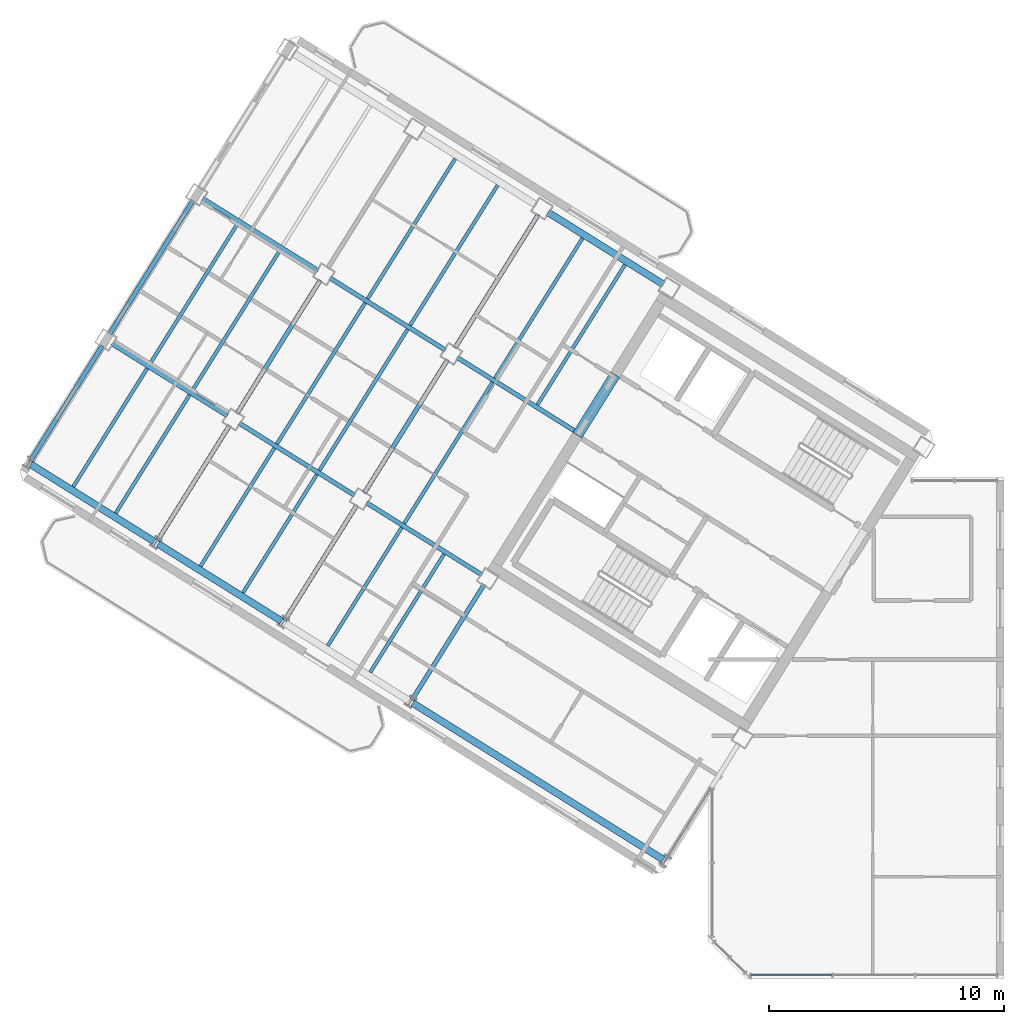
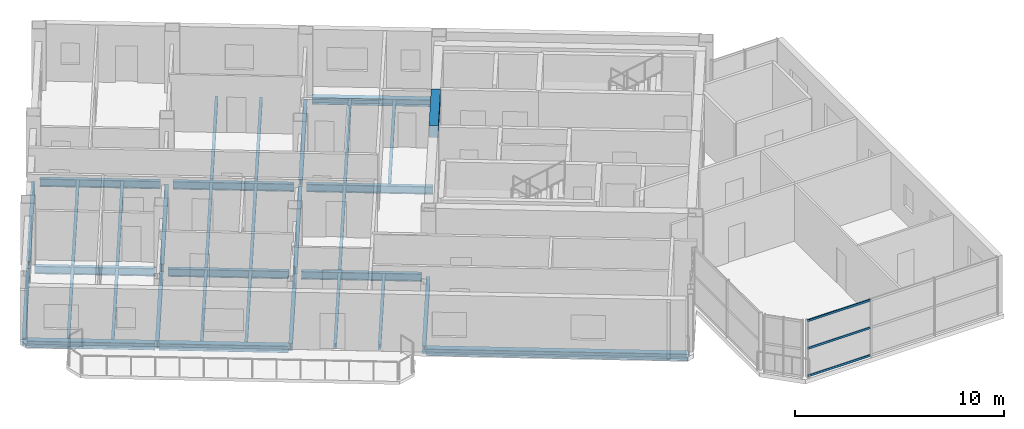
# One storey, part 4 of 14: 34 beams, 3 members, 1 element without a shape of its own.
"""IFC4 building model written with IfcOpenShell, lengths in metres."""

from ifc_helpers import new_model, si_unit, direction, frame, origin, origin_2d, place, context, subcontext, project, spatial, rectangle, hollow_rectangle, i_section, extrude, source, transform, mapped, material, material_profile, profile_set, type_object, element, aggregate, save


model = new_model("IFC4")

# Units and contexts
model_context = context("Model", 3, precision=1e-05, world=origin(), true_north=direction((0.0, 1.0)))
body_context = subcontext(model_context, "Body", "Model", "MODEL_VIEW")
ifc_project = project(units=[si_unit("LENGTHUNIT", "METRE"), si_unit("AREAUNIT", "SQUARE_METRE"), si_unit("VOLUMEUNIT", "CUBIC_METRE"), si_unit("PLANEANGLEUNIT", "RADIAN"), si_unit("MASSUNIT", "GRAM", prefix="KILO")], contexts=[model_context])

# Site, building, storey
site_placement = place(None, origin())
site = spatial("IfcSite", under=ifc_project, at=site_placement, CompositionType="ELEMENT")
building_placement = place(site_placement, origin())
building = spatial("IfcBuilding", under=site, at=building_placement, Name="Tlacorven Tower", CompositionType="ELEMENT")
storey_placement = place(building_placement, frame((0.0, 0.0, 273.60009765625)))
storey = spatial("IfcBuildingStorey", under=building, at=storey_placement, Name="L69", CompositionType="ELEMENT", Elevation=273.60009765625)

# Beams
ifc_material_1 = material(Name="Concrete C60/75", Category="concrete")
ifc_material_profile_1 = material_profile(ifc_material_1, rectangle(XDim=0.449951171875, YDim=0.699951171875, at=origin_2d()), Name="RC 450X700")
ifc_profile_set_1 = profile_set([ifc_material_profile_1], Name="Concrete C60/75")
beam_type_1 = type_object("IfcBeamType", Name="BM-LNT-700", PredefinedType="LINTEL", material=ifc_profile_set_1)
shared_shape_1 = source(origin(), body_context, "Body", "SweptSolid", [
    extrude(rectangle(XDim=0.449951171875, YDim=0.699951171875, at=origin_2d()), origin(), (0.0, 0.0, 1.0), 3.0498046875),
])
beam_1_placement = place(storey_placement, frame((27.622802734375, 27.562255859375, 3.0), z_axis=(-0.529926983584, -0.848043272522, 0.0), x_axis=(0.848043272522, -0.529926983584, 0.0)))
element("IfcBeam", 1, at=beam_1_placement, inside=storey, type_object=beam_type_1, Name="L69 W core coupling lintel beam E2", PredefinedType="LINTEL", context=body_context, shape_type="MappedRepresentation", body=[
    mapped(shared_shape_1, transform((0.0, 0.0, 0.0), scale=1.0)),
])
ifc_material_2 = material(Name="Steel S355J2", Category="steel")
ifc_material_profile_2 = material_profile(ifc_material_2, i_section(OverallWidth=0.300048828125, OverallDepth=0.389892578125, WebThickness=0.010986328125, FlangeThickness=0.01904296875, at=origin_2d()), Name="HEA 400")
ifc_profile_set_2 = profile_set([ifc_material_profile_2], Name="Steel S355J2")
beam_type_2 = type_object("IfcBeamType", Name="BM-SPN-400", PredefinedType="SPANDREL", material=ifc_profile_set_2)
shared_shape_2 = source(origin(), body_context, "Body", "SweptSolid", [
    extrude(i_section(OverallWidth=0.300048828125, OverallDepth=0.389892578125, WebThickness=0.010986328125, FlangeThickness=0.01904296875, at=origin_2d()), origin(), (0.0, 0.0, 1.0), 12.599853515625),
])
beam_2_placement = place(storey_placement, frame((29.67578125, 6.882080078125, -0.445068359375), z_axis=(-0.848045108756, 0.529924045043, 0.0), x_axis=(-0.529924045043, -0.848045108756, 0.0)))
element("IfcBeam", 2, at=beam_2_placement, inside=storey, type_object=beam_type_2, Name="L69 beam BM-L69-WL4-1", PredefinedType="SPANDREL", context=body_context, shape_type="MappedRepresentation", body=[
    mapped(shared_shape_2, transform((0.0, 0.0, 0.0), scale=1.0)),
])
shared_shape_3 = source(origin(), body_context, "Body", "SweptSolid", [
    extrude(i_section(OverallWidth=0.300048828125, OverallDepth=0.389892578125, WebThickness=0.010986328125, FlangeThickness=0.01904296875, at=origin_2d()), origin(), (0.0, 0.0, 1.0), 6.199951171875),
])
for number, where, z_axis, x_axis, name in (
    (3, (13.393310546875, 17.056396484375, -0.445068359375), (-0.848033697614, 0.529942306022, 0.0), (-0.529942306022, -0.848033697614, 0.0), "L69 beam BM-L69-WL4-4"),
    (4, (7.9658203125, 20.447998046875, -0.445068359375), (-0.848051394107, 0.529913986372, 0.0), (-0.529913986372, -0.848051394107, 0.0), "L69 beam BM-L69-WL4-5"),
):
    element("IfcBeam", number, at=place(storey_placement, frame(where, z_axis=z_axis, x_axis=x_axis)), inside=storey, type_object=beam_type_2, Name=name, PredefinedType="SPANDREL", context=body_context, shape_type="MappedRepresentation", body=[
        mapped(shared_shape_3, transform((0.0, 0.0, 0.0), scale=1.0)),
    ])
shared_shape_4 = source(origin(), body_context, "Body", "SweptSolid", [
    extrude(i_section(OverallWidth=0.300048828125, OverallDepth=0.389892578125, WebThickness=0.010986328125, FlangeThickness=0.01904296875, at=origin_2d()), origin(), (0.0, 0.0, 1.0), 5.800048828125),
])
beam_3_placement = place(storey_placement, frame((29.673583984375, 31.410400390625, -0.445068359375), z_axis=(-0.848052689693, 0.529911912967, 0.0), x_axis=(-0.529911912967, -0.848052689693, 0.0)))
element("IfcBeam", 5, at=beam_3_placement, inside=storey, type_object=beam_type_2, Name="L69 beam BM-L69-WL1-3", PredefinedType="SPANDREL", context=body_context, shape_type="MappedRepresentation", body=[
    mapped(shared_shape_4, transform((0.0, 0.0, 0.0), scale=1.0)),
])
ifc_material_profile_3 = material_profile(ifc_material_2, i_section(OverallWidth=0.14990234375, OverallDepth=0.300048828125, WebThickness=0.007080078125, FlangeThickness=0.0107421875, at=origin_2d()), Name="IPE 300")
ifc_profile_set_3 = profile_set([ifc_material_profile_3], Name="Steel S355J2")
beam_type_3 = type_object("IfcBeamType", Name="BM-JST-300", PredefinedType="JOIST", material=ifc_profile_set_3)
shared_shape_5 = source(origin(), body_context, "Body", "SweptSolid", [
    extrude(i_section(OverallWidth=0.14990234375, OverallDepth=0.300048828125, WebThickness=0.007080078125, FlangeThickness=0.0107421875, at=origin_2d()), origin(), (0.0, 0.0, 1.0), 7.10009765625),
])
for number, where, z_axis, x_axis, name in (
    (6, (22.38818359375, 27.23681640625, -0.400146484375), (-0.529915484902, -0.848050457733, 0.0), (0.848050457733, -0.529915484902, 0.0), "L69 beam BM-L69-WJ3-2-2"),
    (7, (11.533203125, 34.019775390625, -0.400146484375), (-0.529915484902, -0.848050457733, 0.0), (0.848050457733, -0.529915484902, 0.0), "L69 beam BM-L69-WJ5-2-2"),
):
    element("IfcBeam", number, at=place(storey_placement, frame(where, z_axis=z_axis, x_axis=x_axis)), inside=storey, type_object=beam_type_3, Name=name, PredefinedType="JOIST", context=body_context, shape_type="MappedRepresentation", body=[
        mapped(shared_shape_5, transform((0.0, 0.0, 0.0), scale=1.0)),
    ])
shared_shape_6 = source(origin(), body_context, "Body", "SweptSolid", [
    extrude(i_section(OverallWidth=0.14990234375, OverallDepth=0.300048828125, WebThickness=0.007080078125, FlangeThickness=0.0107421875, at=origin_2d()), origin(), (0.0, 0.0, 1.0), 7.099853515625),
])
for number, where, z_axis, x_axis, name in (
    (8, (18.769775390625, 29.497802734375, -0.400146484375), (-0.529890754507, -0.848065910344, 0.0), (0.848065910344, -0.529890754507, 0.0), "L69 beam BM-L69-WJ4-2-1"),
    (9, (16.960693359375, 30.628173828125, -0.400146484375), (-0.529930937954, -0.848040801494, 0.0), (0.848040801494, -0.529930937954, 0.0), "L69 beam BM-L69-WJ4-2-2"),
    (10, (13.34228515625, 32.88916015625, -0.400146484375), (-0.529930937954, -0.848040801494, 0.0), (0.848040801494, -0.529930937954, 0.0), "L69 beam BM-L69-WJ5-2-1"),
):
    element("IfcBeam", number, at=place(storey_placement, frame(where, z_axis=z_axis, x_axis=x_axis)), inside=storey, type_object=beam_type_3, Name=name, PredefinedType="JOIST", context=body_context, shape_type="MappedRepresentation", body=[
        mapped(shared_shape_6, transform((0.0, 0.0, 0.0), scale=1.0)),
    ])
shared_shape_7 = source(origin(), body_context, "Body", "SweptSolid", [
    extrude(i_section(OverallWidth=0.14990234375, OverallDepth=0.300048828125, WebThickness=0.007080078125, FlangeThickness=0.0107421875, at=origin_2d()), origin(), (0.0, 0.0, 1.0), 7.044921875),
])
for number, where, z_axis, x_axis, name in (
    (11, (28.03662109375, 32.25048828125, -0.400146484375), (-0.529899256491, -0.848060598053, 0.0), (0.848060598053, -0.529899256491, 0.0), "L69 beam BM-L69-WJ3-1-1"),
    (12, (26.2275390625, 33.380859375, -0.400146484375), (-0.529939753148, -0.848035292917, 0.0), (0.848035292917, -0.529939753148, 0.0), "L69 beam BM-L69-WJ3-1-2"),
    (13, (22.609130859375, 35.641845703125, -0.400146484375), (-0.52991483005, -0.848050866925, 0.0), (0.848050866925, -0.52991483005, 0.0), "L69 beam BM-L69-WJ4-1-1"),
):
    element("IfcBeam", number, at=place(storey_placement, frame(where, z_axis=z_axis, x_axis=x_axis)), inside=storey, type_object=beam_type_3, Name=name, PredefinedType="JOIST", context=body_context, shape_type="MappedRepresentation", body=[
        mapped(shared_shape_7, transform((0.0, 0.0, 0.0), scale=1.0)),
    ])
shared_shape_8 = source(origin(), body_context, "Body", "SweptSolid", [
    extrude(i_section(OverallWidth=0.14990234375, OverallDepth=0.300048828125, WebThickness=0.007080078125, FlangeThickness=0.0107421875, at=origin_2d()), origin(), (0.0, 0.0, 1.0), 5.945068359375),
])
for number, where, z_axis, x_axis, name in (
    (14, (20.3291015625, 19.91552734375, -0.400146484375), (-0.529914037113, -0.848051362401, 0.0), (0.848051362401, -0.529914037113, 0.0), "L69 beam BM-L69-WJ3-3-1"),
    (15, (18.519775390625, 21.046142578125, -0.400146484375), (-0.529914037113, -0.848051362401, 0.0), (0.848051362401, -0.529914037113, 0.0), "L69 beam BM-L69-WJ3-3-2"),
    (16, (14.9013671875, 23.30712890625, -0.400146484375), (-0.529884501938, -0.848069817059, 0.0), (0.848069817059, -0.529884501938, 0.0), "L69 beam BM-L69-WJ4-3-1"),
    (17, (9.473876953125, 26.698486328125, -0.400146484375), (-0.529914037113, -0.848051362401, 0.0), (0.848051362401, -0.529914037113, 0.0), "L69 beam BM-L69-WJ5-3-1"),
    (18, (7.664794921875, 27.8291015625, -0.400146484375), (-0.529914037113, -0.848051362401, 0.0), (0.848051362401, -0.529914037113, 0.0), "L69 beam BM-L69-WJ5-3-2"),
):
    element("IfcBeam", number, at=place(storey_placement, frame(where, z_axis=z_axis, x_axis=x_axis)), inside=storey, type_object=beam_type_3, Name=name, PredefinedType="JOIST", context=body_context, shape_type="MappedRepresentation", body=[
        mapped(shared_shape_8, transform((0.0, 0.0, 0.0), scale=1.0)),
    ])
shared_shape_9 = source(origin(), body_context, "Body", "SweptSolid", [
    extrude(i_section(OverallWidth=0.14990234375, OverallDepth=0.300048828125, WebThickness=0.007080078125, FlangeThickness=0.0107421875, at=origin_2d()), origin(), (0.0, 0.0, 1.0), 7.045166015625),
])
beam_4_placement = place(storey_placement, frame((20.800048828125, 36.7724609375, -0.400146484375), z_axis=(-0.529924179428, -0.848045024782, 0.0), x_axis=(0.848045024782, -0.529924179428, 0.0)))
element("IfcBeam", 19, at=beam_4_placement, inside=storey, type_object=beam_type_3, Name="L69 beam BM-L69-WJ4-1-2", PredefinedType="JOIST", context=body_context, shape_type="MappedRepresentation", body=[
    mapped(shared_shape_9, transform((0.0, 0.0, 0.0), scale=1.0)),
])
shared_shape_10 = source(origin(), body_context, "Body", "SweptSolid", [
    extrude(i_section(OverallWidth=0.14990234375, OverallDepth=0.300048828125, WebThickness=0.007080078125, FlangeThickness=0.0107421875, at=origin_2d()), origin(), (0.0, 0.0, 1.0), 5.94482421875),
])
beam_5_placement = place(storey_placement, frame((13.09228515625, 24.4375, -0.400146484375), z_axis=(-0.529932492401, -0.848039830136, 0.0), x_axis=(0.848039830136, -0.529932492401, 0.0)))
element("IfcBeam", 20, at=beam_5_placement, inside=storey, type_object=beam_type_3, Name="L69 beam BM-L69-WJ4-3-2", PredefinedType="JOIST", context=body_context, shape_type="MappedRepresentation", body=[
    mapped(shared_shape_10, transform((0.0, 0.0, 0.0), scale=1.0)),
])
ifc_material_profile_4 = material_profile(ifc_material_2, i_section(OverallWidth=0.18994140625, OverallDepth=0.449951171875, WebThickness=0.009521484375, FlangeThickness=0.0146484375, at=origin_2d()), Name="IPE 450")
ifc_profile_set_4 = profile_set([ifc_material_profile_4], Name="Steel S355J2")
beam_type_4 = type_object("IfcBeamType", Name="BM-TWR-450", PredefinedType="BEAM", material=ifc_profile_set_4)
shared_shape_11 = source(origin(), body_context, "Body", "SweptSolid", [
    extrude(i_section(OverallWidth=0.18994140625, OverallDepth=0.449951171875, WebThickness=0.009521484375, FlangeThickness=0.0146484375, at=origin_2d()), origin(), (0.0, 0.0, 1.0), 6.06005859375),
])
beam_6_placement = place(storey_placement, frame((26.025634765625, 25.081787109375, -0.47509765625), z_axis=(-0.848039041052, 0.529933755154, 0.0), x_axis=(-0.529933755154, -0.848039041052, 0.0)))
element("IfcBeam", 21, at=beam_6_placement, inside=storey, type_object=beam_type_4, Name="L69 beam BM-L69-WL2-3", PredefinedType="BEAM", context=body_context, shape_type="MappedRepresentation", body=[
    mapped(shared_shape_11, transform((0.0, 0.0, 0.0), scale=1.0)),
])
shared_shape_12 = source(origin(), body_context, "Body", "SweptSolid", [
    extrude(i_section(OverallWidth=0.18994140625, OverallDepth=0.449951171875, WebThickness=0.009521484375, FlangeThickness=0.0146484375, at=origin_2d()), origin(), (0.0, 0.0, 1.0), 5.800048828125),
])
for number, where, z_axis, x_axis, name in (
    (22, (20.377685546875, 28.611083984375, -0.47509765625), (-0.848052689693, 0.529911912967, 0.0), (-0.529911912967, -0.848052689693, 0.0), "L69 beam BM-L69-WL2-4"),
    (23, (14.9501953125, 32.00244140625, -0.47509765625), (-0.848033773154, 0.52994218514, 0.0), (-0.52994218514, -0.848033773154, 0.0), "L69 beam BM-L69-WL2-5"),
    (24, (21.936767578125, 19.02880859375, -0.47509765625), (-0.848052689693, 0.529911912967, 0.0), (-0.529911912967, -0.848052689693, 0.0), "L69 beam BM-L69-WL3-3"),
    (25, (16.50927734375, 22.42041015625, -0.47509765625), (-0.848052689693, 0.529911912967, 0.0), (-0.529911912967, -0.848052689693, 0.0), "L69 beam BM-L69-WL3-4"),
    (26, (11.081787109375, 25.811767578125, -0.47509765625), (-0.848052689693, 0.529911912967, 0.0), (-0.529911912967, -0.848052689693, 0.0), "L69 beam BM-L69-WL3-5"),
    (27, (22.0322265625, 18.615478515625, -0.47509765625), (-0.52994218514, -0.848033773154, 0.0), (0.848033773154, -0.52994218514, 0.0), "L69 beam BM-L69-WT3-2"),
    (28, (16.604736328125, 22.0068359375, -0.47509765625), (-0.52994218514, -0.848033773154, 0.0), (0.848033773154, -0.52994218514, 0.0), "L69 beam BM-L69-WT4-3"),
    (29, (11.17724609375, 25.3984375, -0.47509765625), (-0.52994218514, -0.848033773154, 0.0), (0.848033773154, -0.52994218514, 0.0), "L69 beam BM-L69-WT5-3"),
    (30, (5.74951171875, 28.789794921875, -0.47509765625), (-0.529911912967, -0.848052689693, 0.0), (0.848052689693, -0.529911912967, 0.0), "L69 beam BM-L69-WT6-3"),
):
    element("IfcBeam", number, at=place(storey_placement, frame(where, z_axis=z_axis, x_axis=x_axis)), inside=storey, type_object=beam_type_4, Name=name, PredefinedType="BEAM", context=body_context, shape_type="MappedRepresentation", body=[
        mapped(shared_shape_12, transform((0.0, 0.0, 0.0), scale=1.0)),
    ])
shared_shape_13 = source(origin(), body_context, "Body", "SweptSolid", [
    extrude(i_section(OverallWidth=0.18994140625, OverallDepth=0.449951171875, WebThickness=0.009521484375, FlangeThickness=0.0146484375, at=origin_2d()), origin(), (0.0, 0.0, 1.0), 6.699951171875),
])
for number, where, z_axis, x_axis, name in (
    (31, (24.341552734375, 34.388427734375, -0.47509765625), (-0.529930154818, -0.848041290867, 0.0), (0.848041290867, -0.529930154818, 0.0), "L69 beam BM-L69-WT4-1"),
    (32, (20.47314453125, 28.19775390625, -0.47509765625), (-0.529930154818, -0.848041290867, 0.0), (0.848041290867, -0.529930154818, 0.0), "L69 beam BM-L69-WT4-2"),
    (33, (15.045654296875, 31.589111328125, -0.47509765625), (-0.529930154818, -0.848041290867, 0.0), (0.848041290867, -0.529930154818, 0.0), "L69 beam BM-L69-WT5-2"),
    (34, (9.617919921875, 34.980712890625, -0.47509765625), (-0.529903948186, -0.848057666493, 0.0), (0.848057666493, -0.529903948186, 0.0), "L69 beam BM-L69-WT6-2"),
):
    element("IfcBeam", number, at=place(storey_placement, frame(where, z_axis=z_axis, x_axis=x_axis)), inside=storey, type_object=beam_type_4, Name=name, PredefinedType="BEAM", context=body_context, shape_type="MappedRepresentation", body=[
        mapped(shared_shape_13, transform((0.0, 0.0, 0.0), scale=1.0)),
    ])

# Curtain wall, members
ifc_material_3 = material(Name="Dark solar low-E double glazing in aluminium frame", Category="aluminium")
curtain_wall_type = type_object("IfcCurtainWallType", Name="CW-TWR-HIGH", PredefinedType="USERDEFINED", material=ifc_material_3)
curtain_wall_placement = place(storey_placement, origin())
curtain_wall = element("IfcCurtainWall", 35, at=curtain_wall_placement, inside=storey, type_object=curtain_wall_type, Name="L69 CW-TWR-HIGH Curtain Wall 319", ObjectType="UNITISED CURTAIN WALL", PredefinedType="USERDEFINED")
ifc_material_4 = material(Name="Aluminium 6063-T6 anodised", Category="aluminium")
ifc_material_profile_5 = material_profile(ifc_material_4, hollow_rectangle(XDim=0.054931640625, YDim=0.1201171875, WallThickness=0.00341796875, at=origin_2d()), Name="ALU TRANSOM 55X120")
ifc_profile_set_5 = profile_set([ifc_material_profile_5], Name="Aluminium 6063-T6 anodised")
member_type = type_object("IfcMemberType", Name="CWT-03", PredefinedType="USERDEFINED", material=ifc_profile_set_5)
shared_shape_14 = source(origin(), body_context, "Body", "SweptSolid", [
    extrude(hollow_rectangle(XDim=0.054931640625, YDim=0.1201171875, WallThickness=0.00341796875, at=origin_2d()), origin(), (0.0, 0.0, 1.0), 3.45849609375),
])
member_1_placement = place(storey_placement, frame((36.872802734375, 1.9599609375, 0.059814453125), z_axis=(-1.0, 0.0, 0.0), x_axis=(0.0, -1.0, 0.0)))
member_1 = element("IfcMember", 36, at=member_1_placement, type_object=member_type, Name="CW-L69-319 Transom 7", ObjectType="TRANSOM", PredefinedType="USERDEFINED", context=body_context, shape_type="MappedRepresentation", body=[
    mapped(shared_shape_14, transform((0.0, 0.0, 0.0), scale=1.0)),
])
member_2_placement = place(storey_placement, frame((36.872802734375, 1.9599609375, 1.6748046875), z_axis=(-1.0, 0.0, 0.0), x_axis=(0.0, -1.0, 0.0)))
member_2 = element("IfcMember", 37, at=member_2_placement, type_object=member_type, Name="CW-L69-319 Transom 8", ObjectType="TRANSOM", PredefinedType="USERDEFINED", context=body_context, shape_type="MappedRepresentation", body=[
    mapped(shared_shape_14, transform((0.0, 0.0, 0.0), scale=1.0)),
])
member_3_placement = place(storey_placement, frame((36.872802734375, 1.9599609375, 3.289794921875), z_axis=(-1.0, 0.0, 0.0), x_axis=(0.0, -1.0, 0.0)))
member_3 = element("IfcMember", 38, at=member_3_placement, type_object=member_type, Name="CW-L69-319 Transom 9", ObjectType="TRANSOM", PredefinedType="USERDEFINED", context=body_context, shape_type="MappedRepresentation", body=[
    mapped(shared_shape_14, transform((0.0, 0.0, 0.0), scale=1.0)),
])
aggregate(curtain_wall, [member_1, member_2, member_3])

save(model, "model.ifc")
